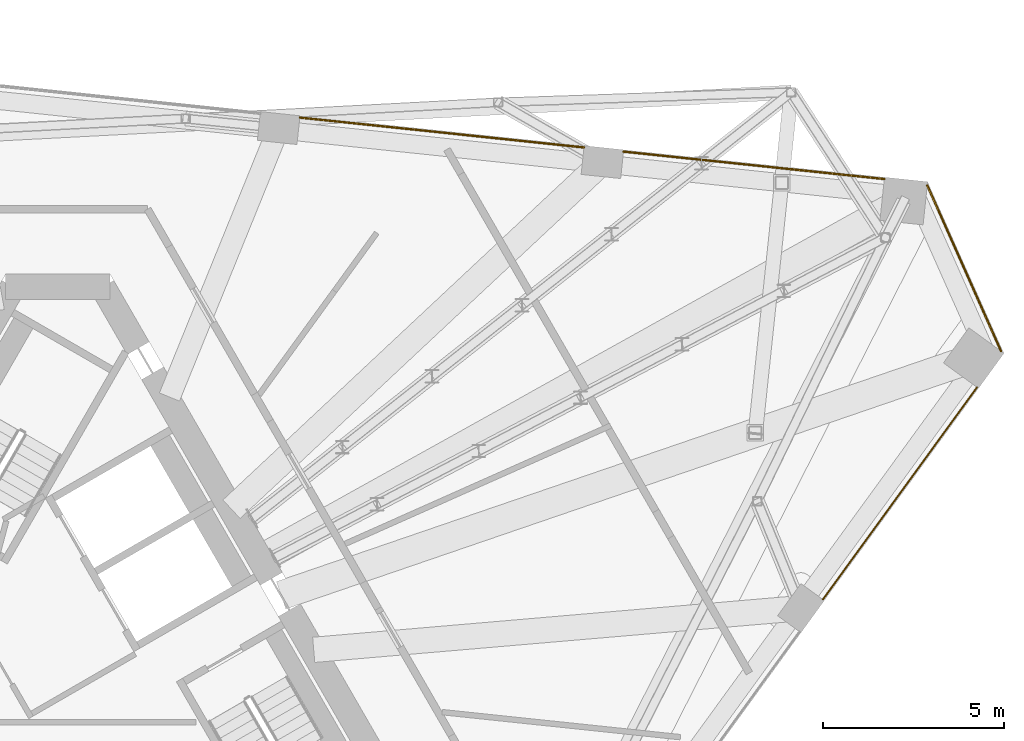
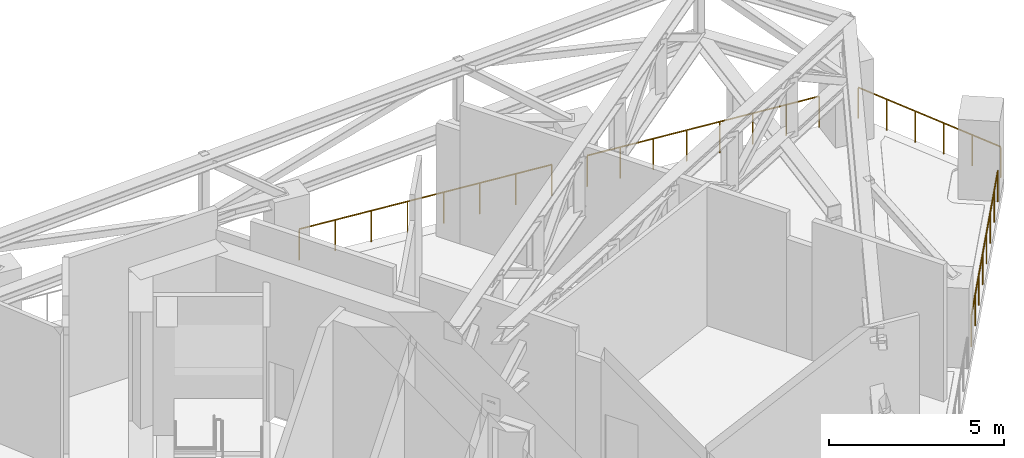
# One storey, part 20 of 20: 4 railings.
"""IFC4 building model written with IfcOpenShell, lengths in metres."""

from ifc_helpers import new_model, si_unit, direction, frame, origin, origin_2d, place, context, subcontext, project, spatial, circle, extrude, material, type_object, element, save


model = new_model("IFC4")

# Units and contexts
model_context = context("Model", 3, precision=1e-05, world=origin(), true_north=direction((0.0, 1.0)))
body_context = subcontext(model_context, "Body", "Model", "MODEL_VIEW")
ifc_project = project(units=[si_unit("LENGTHUNIT", "METRE"), si_unit("AREAUNIT", "SQUARE_METRE"), si_unit("VOLUMEUNIT", "CUBIC_METRE"), si_unit("PLANEANGLEUNIT", "RADIAN"), si_unit("MASSUNIT", "GRAM", prefix="KILO")], contexts=[model_context])

# Site, building, storey
site_placement = place(None, origin())
site = spatial("IfcSite", under=ifc_project, at=site_placement, CompositionType="ELEMENT")
building_placement = place(site_placement, origin())
building = spatial("IfcBuilding", under=site, at=building_placement, Name="Tramontana Tower", CompositionType="ELEMENT")
storey_placement = place(building_placement, frame((0.0, 0.0, 269.199951171875)))
storey = spatial("IfcBuildingStorey", under=building, at=storey_placement, Name="L63", CompositionType="ELEMENT", Elevation=269.199951171875)

# Railings
ifc_material = material(Name="Stainless steel rail and posts", Category="steel")
railing_type = type_object("IfcRailingType", Name="GD2 Terrace guard 1100", PredefinedType="GUARDRAIL", material=ifc_material)
railing_1_placement = place(storey_placement, frame((14.55615234375, 14.508056640625, 0.0)))
element("IfcRailing", 1, at=railing_1_placement, inside=storey, type_object=railing_type, Name="Edge guard L63 13", PredefinedType="GUARDRAIL", context=body_context, shape_type="SweptSolid", body=[
    extrude(circle(Radius=0.02392578125, at=origin_2d()), frame((0.0, 0.0, 1.076171875), z_axis=(-0.994522528385, 0.104522440343, 0.0), x_axis=(-0.104522440343, -0.994522528385, 0.0)), (0.0, 0.0, 1.0), 7.906494140625),
    extrude(circle(Radius=0.02099609375, at=origin_2d()), origin(), (0.0, 0.0, 1.0), 1.052001953125),
    extrude(circle(Radius=0.02099609375, at=origin_2d()), frame((-1.123291015625, 0.1181640625, 0.0)), (0.0, 0.0, 1.0), 1.052001953125),
    extrude(circle(Radius=0.02099609375, at=origin_2d()), frame((-2.24658203125, 0.236083984375, 0.0)), (0.0, 0.0, 1.0), 1.052001953125),
    extrude(circle(Radius=0.02099609375, at=origin_2d()), frame((-3.369873046875, 0.354248046875, 0.0)), (0.0, 0.0, 1.0), 1.052001953125),
    extrude(circle(Radius=0.02099609375, at=origin_2d()), frame((-4.493408203125, 0.47216796875, 0.0)), (0.0, 0.0, 1.0), 1.052001953125),
    extrude(circle(Radius=0.02099609375, at=origin_2d()), frame((-5.61669921875, 0.59033203125, 0.0)), (0.0, 0.0, 1.0), 1.052001953125),
    extrude(circle(Radius=0.02099609375, at=origin_2d()), frame((-6.739990234375, 0.708251953125, 0.0)), (0.0, 0.0, 1.0), 1.052001953125),
    extrude(circle(Radius=0.02099609375, at=origin_2d()), frame((-7.86328125, 0.826416015625, 0.0)), (0.0, 0.0, 1.0), 1.052001953125),
])
railing_2_placement = place(storey_placement, frame((22.8671875, 13.634521484375, 0.0)))
element("IfcRailing", 2, at=railing_2_placement, inside=storey, type_object=railing_type, Name="Edge guard L63 15", PredefinedType="GUARDRAIL", context=body_context, shape_type="SweptSolid", body=[
    extrude(circle(Radius=0.02392578125, at=origin_2d()), frame((0.0, 0.0, 1.076171875), z_axis=(-0.994521847449, 0.104528919185, 0.0), x_axis=(-0.104528919185, -0.994521847449, 0.0)), (0.0, 0.0, 1.0), 7.2568359375),
    extrude(circle(Radius=0.02099609375, at=origin_2d()), origin(), (0.0, 0.0, 1.0), 1.052001953125),
    extrude(circle(Radius=0.02099609375, at=origin_2d()), frame((-1.031005859375, 0.1083984375, 0.0)), (0.0, 0.0, 1.0), 1.052001953125),
    extrude(circle(Radius=0.02099609375, at=origin_2d()), frame((-2.06201171875, 0.216796875, 0.0)), (0.0, 0.0, 1.0), 1.052001953125),
    extrude(circle(Radius=0.02099609375, at=origin_2d()), frame((-3.093017578125, 0.3251953125, 0.0)), (0.0, 0.0, 1.0), 1.052001953125),
    extrude(circle(Radius=0.02099609375, at=origin_2d()), frame((-4.1240234375, 0.433349609375, 0.0)), (0.0, 0.0, 1.0), 1.052001953125),
    extrude(circle(Radius=0.02099609375, at=origin_2d()), frame((-5.155029296875, 0.541748046875, 0.0)), (0.0, 0.0, 1.0), 1.052001953125),
    extrude(circle(Radius=0.02099609375, at=origin_2d()), frame((-6.18603515625, 0.650146484375, 0.0)), (0.0, 0.0, 1.0), 1.052001953125),
    extrude(circle(Radius=0.02099609375, at=origin_2d()), frame((-7.217041015625, 0.758544921875, 0.0)), (0.0, 0.0, 1.0), 1.052001953125),
])
railing_3_placement = place(storey_placement, frame((21.16796875, 1.99951171875, 0.0)))
element("IfcRailing", 3, at=railing_3_placement, inside=storey, type_object=railing_type, Name="Edge guard L63 17", PredefinedType="GUARDRAIL", context=body_context, shape_type="SweptSolid", body=[
    extrude(circle(Radius=0.02392578125, at=origin_2d()), frame((0.0, 0.0, 1.076171875), z_axis=(0.587781549195, 0.80901968482, 0.0), x_axis=(-0.80901968482, 0.587781549195, 0.0)), (0.0, 0.0, 1.0), 7.2568359375),
    extrude(circle(Radius=0.02099609375, at=origin_2d()), origin(), (0.0, 0.0, 1.0), 1.052001953125),
    extrude(circle(Radius=0.02099609375, at=origin_2d()), frame((0.609375, 0.838623046875, 0.0)), (0.0, 0.0, 1.0), 1.052001953125),
    extrude(circle(Radius=0.02099609375, at=origin_2d()), frame((1.21875, 1.677490234375, 0.0)), (0.0, 0.0, 1.0), 1.052001953125),
    extrude(circle(Radius=0.02099609375, at=origin_2d()), frame((1.828125, 2.51611328125, 0.0)), (0.0, 0.0, 1.0), 1.052001953125),
    extrude(circle(Radius=0.02099609375, at=origin_2d()), frame((2.437255859375, 3.354736328125, 0.0)), (0.0, 0.0, 1.0), 1.052001953125),
    extrude(circle(Radius=0.02099609375, at=origin_2d()), frame((3.046630859375, 4.193359375, 0.0)), (0.0, 0.0, 1.0), 1.052001953125),
    extrude(circle(Radius=0.02099609375, at=origin_2d()), frame((3.656005859375, 5.0322265625, 0.0)), (0.0, 0.0, 1.0), 1.052001953125),
    extrude(circle(Radius=0.02099609375, at=origin_2d()), frame((4.265380859375, 5.870849609375, 0.0)), (0.0, 0.0, 1.0), 1.052001953125),
])
railing_4_placement = place(storey_placement, frame((26.098388671875, 8.87060546875, 0.0)))
element("IfcRailing", 4, at=railing_4_placement, inside=storey, type_object=railing_type, Name="Edge guard L63 18", PredefinedType="GUARDRAIL", context=body_context, shape_type="SweptSolid", body=[
    extrude(circle(Radius=0.02392578125, at=origin_2d()), frame((0.0, 0.0, 1.076171875), z_axis=(-0.406733676153, 0.913546778596, 0.0), x_axis=(-0.913546778596, -0.406733676153, 0.0)), (0.0, 0.0, 1.0), 5.02294921875),
    extrude(circle(Radius=0.02099609375, at=origin_2d()), origin(), (0.0, 0.0, 1.0), 1.052001953125),
    extrude(circle(Radius=0.02099609375, at=origin_2d()), frame((-0.40869140625, 0.917724609375, 0.0)), (0.0, 0.0, 1.0), 1.052001953125),
    extrude(circle(Radius=0.02099609375, at=origin_2d()), frame((-0.817138671875, 1.83544921875, 0.0)), (0.0, 0.0, 1.0), 1.052001953125),
    extrude(circle(Radius=0.02099609375, at=origin_2d()), frame((-1.225830078125, 2.753173828125, 0.0)), (0.0, 0.0, 1.0), 1.052001953125),
    extrude(circle(Radius=0.02099609375, at=origin_2d()), frame((-1.63427734375, 3.6708984375, 0.0)), (0.0, 0.0, 1.0), 1.052001953125),
    extrude(circle(Radius=0.02099609375, at=origin_2d()), frame((-2.04296875, 4.588623046875, 0.0)), (0.0, 0.0, 1.0), 1.052001953125),
])

save(model, "model.ifc")
